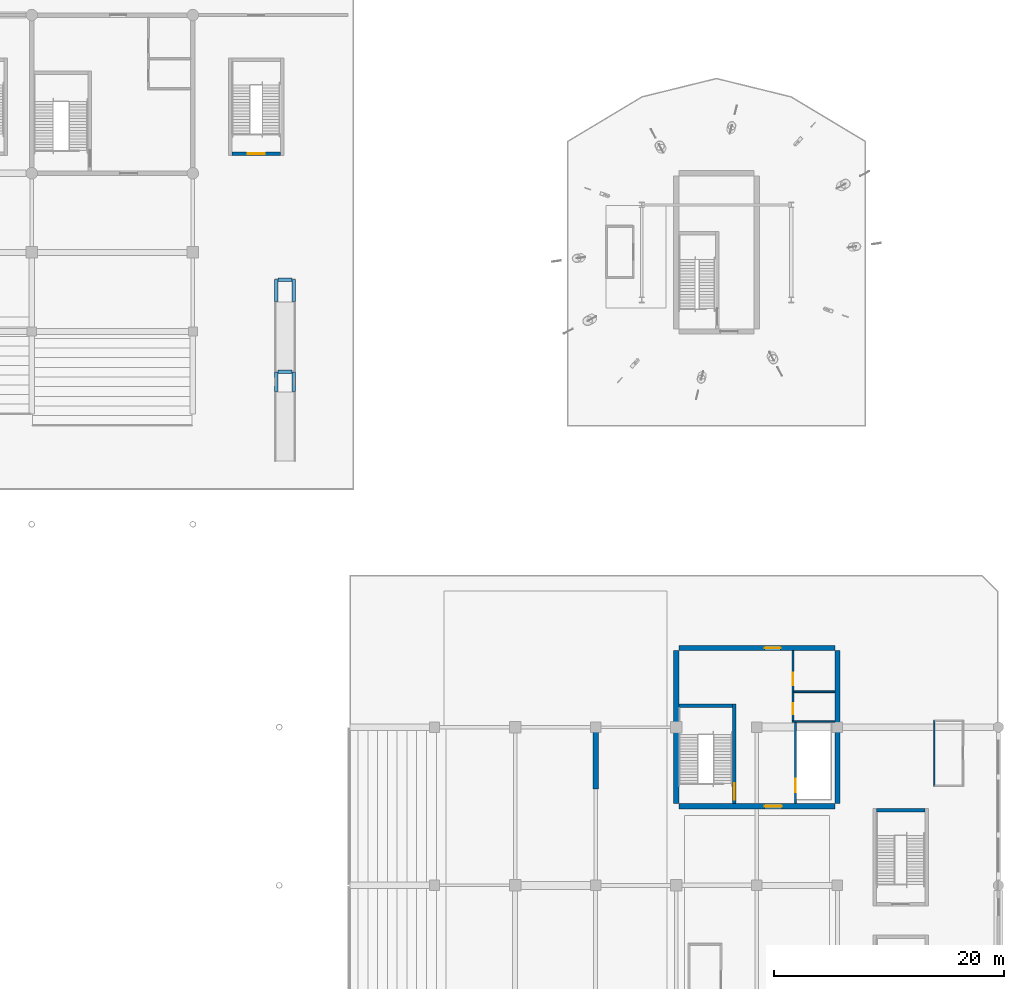
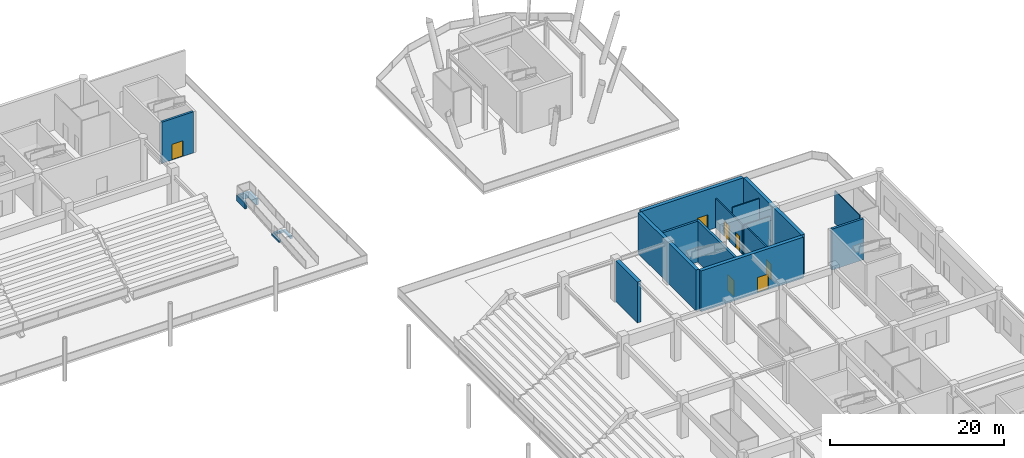
# One storey, part 50 of 73: 20 walls, 7 doors, 7 openings.
"""IFC4 building model written with IfcOpenShell, lengths in metres."""

from ifc_helpers import new_model, si_unit, direction, frame, frame_2d, origin, place, context, subcontext, project, spatial, rectangle, extrude, material, layer, layer_set, type_object, element, fill, save


model = new_model("IFC4")

# Units and contexts
model_context = context("Model", 3, precision=1e-05, world=origin(), true_north=direction((0.0, 1.0)))
body_context = subcontext(model_context, "Body", "Model", "MODEL_VIEW")
ifc_project = project(units=[si_unit("LENGTHUNIT", "METRE"), si_unit("AREAUNIT", "SQUARE_METRE"), si_unit("VOLUMEUNIT", "CUBIC_METRE"), si_unit("PLANEANGLEUNIT", "RADIAN"), si_unit("MASSUNIT", "GRAM", prefix="KILO")], contexts=[model_context])

# Site, building, storey
site_placement = place(None, origin())
site = spatial("IfcSite", under=ifc_project, at=site_placement, CompositionType="ELEMENT")
building_placement = place(site_placement, origin())
building = spatial("IfcBuilding", under=site, at=building_placement, Name="Linyun Crest Stadium", CompositionType="ELEMENT")
storey_placement = place(building_placement, origin())
storey = spatial("IfcBuildingStorey", under=building, at=storey_placement, Name="L01", CompositionType="ELEMENT", Elevation=0.0)

# Walls
ifc_material_1 = material(Name="Concrete C50", Category="concrete")
ifc_layer_1 = layer(ifc_material_1, 0.449951171875)
ifc_layer_set_1 = layer_set([ifc_layer_1], Name="Concrete C50")
wall_type_1 = type_object("IfcWallType", Name="CW03", PredefinedType="SHEAR", material=ifc_layer_set_1)
for number, where, z_axis, x_axis, name in (
    (1, (70.0, 36.72509765625, 0.0), (0.0, 0.0, 1.0), (0.0, 1.0, 0.0), "Core shear wall CW03 CORE-E3 L01.1"),
    (2, (84.0, 36.72509765625, 0.0), (0.0, 0.0, 1.0), (0.0, 1.0, 0.0), "Core shear wall CW03 CORE-E3 L01.2"),
):
    element("IfcWall", number, at=place(storey_placement, frame(where, z_axis=z_axis, x_axis=x_axis)), inside=storey, type_object=wall_type_1, Name=name, PredefinedType="SHEAR", context=body_context, shape_type="SweptSolid", body=[
        extrude(rectangle(XDim=13.2998046875, YDim=0.449951171875, at=frame_2d((6.64990234375, 0.0))), origin(), (0.0, 0.0, 1.0), 5.75),
    ])

# Wall, opening, door
wall_1_placement = place(storey_placement, frame((70.22509765625, 36.5, 0.0), z_axis=(0.0, 0.0, 1.0), x_axis=(1.0, 0.0, 0.0)))
wall_1 = element("IfcWall", 3, at=wall_1_placement, inside=storey, type_object=wall_type_1, Name="Core shear wall CW03 CORE-E3 L01.3", PredefinedType="SHEAR", context=body_context, shape_type="SweptSolid", body=[
    extrude(rectangle(XDim=13.5498046875, YDim=0.449951171875, at=frame_2d((6.77490234375, 0.0))), origin(), (0.0, 0.0, 1.0), 5.75),
])
opening_1_placement = place(wall_1_placement, frame((7.452880859375, 0.0, 0.0)))
opening_1 = element("IfcOpeningElement", 4, at=opening_1_placement, cuts=wall_1, Name="Opening D-L01-231", PredefinedType="OPENING", context=body_context, shape_type="SweptSolid", body=[
    extrude(rectangle(XDim=1.5, YDim=2.199951171875, at=frame_2d((0.75, 1.10009765625))), frame((0.0, 0.23486328125, 0.0), z_axis=(0.0, -1.0, 0.0), x_axis=(1.0, 0.0, 0.0)), (0.0, 0.0, 1.0), 0.469970703125),
])
ifc_material_2 = material(Name="Galvanized steel Class A fire door", Category="steel")
ifc_layer_2 = layer(ifc_material_2, 0.054931640625)
ifc_layer_set_2 = layer_set([ifc_layer_2], Name="Galvanized steel Class A fire door")
door_type_1 = type_object("IfcDoorType", Name="FD01", OperationType="NOTDEFINED", PredefinedType="DOOR", material=ifc_layer_set_2)
door_1_placement = place(opening_1_placement, origin())
door_1 = element("IfcDoor", 5, at=door_1_placement, inside=storey, type_object=door_type_1, Name="Door D-L01-231", OperationType="SINGLE_SWING_LEFT", OverallHeight=2.199951171875, OverallWidth=1.5, PredefinedType="DOOR", context=body_context, shape_type="SweptSolid", body=[
    extrude(rectangle(XDim=1.5, YDim=2.199951171875, at=frame_2d((0.75, 1.10009765625))), frame((0.0, 0.02490234375, 0.0), z_axis=(0.0, -1.0, 0.0), x_axis=(1.0, 0.0, 0.0)), (0.0, 0.0, 1.0), 0.050048828125),
])
fill(opening_1, door_1)

wall_2_placement = place(storey_placement, frame((70.22509765625, 50.25, 0.0), z_axis=(0.0, 0.0, 1.0), x_axis=(1.0, 0.0, 0.0)))
wall_2 = element("IfcWall", 6, at=wall_2_placement, inside=storey, type_object=wall_type_1, Name="Core shear wall CW03 CORE-E3 L01.4", PredefinedType="SHEAR", context=body_context, shape_type="SweptSolid", body=[
    extrude(rectangle(XDim=13.5498046875, YDim=0.449951171875, at=frame_2d((6.77490234375, 0.0))), origin(), (0.0, 0.0, 1.0), 5.75),
])
opening_2_placement = place(wall_2_placement, frame((7.449951171875, 0.0, 0.0)))
opening_2 = element("IfcOpeningElement", 7, at=opening_2_placement, cuts=wall_2, Name="Opening E-ST06", PredefinedType="OPENING", context=body_context, shape_type="SweptSolid", body=[
    extrude(rectangle(XDim=1.39990234375, YDim=2.199951171875, at=frame_2d((0.699951171875, 1.10009765625))), frame((0.0, 0.23486328125, 0.0), z_axis=(0.0, -1.0, 0.0), x_axis=(1.0, 0.0, 0.0)), (0.0, 0.0, 1.0), 0.469970703125),
])
ifc_material_3 = material(Name="Galvanized steel Class A fire door", Category="steel")
ifc_layer_3 = layer(ifc_material_3, 0.054931640625)
ifc_layer_set_3 = layer_set([ifc_layer_3], Name="Galvanized steel Class A fire door")
door_type_2 = type_object("IfcDoorType", Name="FD10", OperationType="NOTDEFINED", PredefinedType="DOOR", material=ifc_layer_set_3)
door_2_placement = place(opening_2_placement, origin())
door_2 = element("IfcDoor", 8, at=door_2_placement, inside=storey, type_object=door_type_2, Name="Stair STR-06 discharge exit E-ST06", OperationType="SINGLE_SWING_LEFT", OverallHeight=2.199951171875, OverallWidth=1.39990234375, PredefinedType="DOOR", context=body_context, shape_type="SweptSolid", body=[
    extrude(rectangle(XDim=1.39990234375, YDim=2.199951171875, at=frame_2d((0.699951171875, 1.10009765625))), frame((0.0, 0.02490234375, 0.0), z_axis=(0.0, -1.0, 0.0), x_axis=(1.0, 0.0, 0.0)), (0.0, 0.0, 1.0), 0.050048828125),
])
fill(opening_2, door_2)

ifc_material_4 = material(Name="Autoclaved aerated concrete block fire partition", Category="concrete")
ifc_layer_4 = layer(ifc_material_4, 0.179931640625)
ifc_layer_set_4 = layer_set([ifc_layer_4], Name="Autoclaved aerated concrete block fire partition")
wall_type_2 = type_object("IfcWallType", Name="PW12", PredefinedType="PARTITIONING", material=ifc_layer_set_4)
wall_3_placement = place(storey_placement, frame((80.35009765625, 36.72509765625, 0.0), z_axis=(0.0, 0.0, 1.0), x_axis=(0.0, 1.0, 0.0)))
wall_3 = element("IfcWall", 9, at=wall_3_placement, inside=storey, type_object=wall_type_2, Name="Partition PW12 L01 83", PredefinedType="PARTITIONING", context=body_context, shape_type="SweptSolid", body=[
    extrude(rectangle(XDim=7.054931640625, YDim=0.179931640625, at=frame_2d((3.52734375, 0.0))), origin(), (0.0, 0.0, 1.0), 4.125),
])
opening_3_placement = place(wall_3_placement, frame((0.97509765625, 0.0, 0.0)))
opening_3 = element("IfcOpeningElement", 10, at=opening_3_placement, cuts=wall_3, Name="Opening LD080", PredefinedType="OPENING", context=body_context, shape_type="SweptSolid", body=[
    extrude(rectangle(XDim=1.199951171875, YDim=2.25, at=frame_2d((0.60009765625, 1.125))), frame((0.0, 0.099853515625, 0.0), z_axis=(0.0, -1.0, 0.0), x_axis=(1.0, 0.0, 0.0)), (0.0, 0.0, 1.0), 0.199951171875),
])
ifc_material_5 = material(Name="Brushed stainless sliding lift door")
ifc_layer_5 = layer(ifc_material_5, 0.050048828125)
ifc_layer_set_5 = layer_set([ifc_layer_5], Name="Brushed stainless sliding lift door")
door_type_3 = type_object("IfcDoorType", Name="LD02", OperationType="NOTDEFINED", PredefinedType="DOOR", material=ifc_layer_set_5)
door_3_placement = place(opening_3_placement, origin())
door_3 = element("IfcDoor", 11, at=door_3_placement, inside=storey, type_object=door_type_3, Name="Lift landing door LD080", OperationType="DOUBLE_DOOR_SLIDING", OverallHeight=2.25, OverallWidth=1.199951171875, PredefinedType="DOOR", context=body_context, shape_type="SweptSolid", body=[
    extrude(rectangle(XDim=1.199951171875, YDim=2.25, at=frame_2d((0.60009765625, 1.125))), frame((0.0, 0.02490234375, 0.0), z_axis=(0.0, -1.0, 0.0), x_axis=(1.0, 0.0, 0.0)), (0.0, 0.0, 1.0), 0.050048828125),
])
fill(opening_3, door_3)

# Wall, openings, doors
ifc_material_6 = material(Name="Moisture-resistant ceramic-tiled wet-room wall")
ifc_layer_6 = layer(ifc_material_6, 0.139892578125)
ifc_layer_set_6 = layer_set([ifc_layer_6], Name="Moisture-resistant ceramic-tiled wet-room wall")
wall_type_3 = type_object("IfcWallType", Name="PW15", PredefinedType="PARTITIONING", material=ifc_layer_set_6)
wall_4_placement = place(storey_placement, frame((80.14990234375, 43.919921875, 0.0), z_axis=(0.0, 0.0, 1.0), x_axis=(0.0, 1.0, 0.0)))
wall_4 = element("IfcWall", 12, at=wall_4_placement, inside=storey, type_object=wall_type_3, Name="Partition PW15 L01 84", PredefinedType="PARTITIONING", context=body_context, shape_type="SweptSolid", body=[
    extrude(rectangle(XDim=6.10498046875, YDim=0.139892578125, at=frame_2d((3.052490234375, 0.0))), origin(), (0.0, 0.0, 1.0), 4.125),
])
opening_4_placement = place(wall_4_placement, frame((0.580078125, 0.0, 0.0)))
opening_4 = element("IfcOpeningElement", 13, at=opening_4_placement, cuts=wall_4, Name="Opening D-L01-234", PredefinedType="OPENING", context=body_context, shape_type="SweptSolid", body=[
    extrude(rectangle(XDim=0.949951171875, YDim=2.14990234375, at=frame_2d((0.47509765625, 1.074951171875))), frame((0.0, 0.079833984375, 0.0), z_axis=(0.0, -1.0, 0.0), x_axis=(1.0, 0.0, 0.0)), (0.0, 0.0, 1.0), 0.159912109375),
])
opening_5_placement = place(wall_4_placement, frame((3.080078125, 0.0, 0.0)))
opening_5 = element("IfcOpeningElement", 14, at=opening_5_placement, cuts=wall_4, Name="Opening D-L01-235", PredefinedType="OPENING", context=body_context, shape_type="SweptSolid", body=[
    extrude(rectangle(XDim=1.10009765625, YDim=2.14990234375, at=frame_2d((0.550048828125, 1.074951171875))), frame((0.0, 0.079833984375, 0.0), z_axis=(0.0, -1.0, 0.0), x_axis=(1.0, 0.0, 0.0)), (0.0, 0.0, 1.0), 0.159912109375),
])
ifc_material_7 = material(Name="Moisture-resistant laminate leaf")
ifc_layer_7 = layer(ifc_material_7, 0.044921875)
ifc_layer_set_7 = layer_set([ifc_layer_7], Name="Moisture-resistant laminate leaf")
door_type_4 = type_object("IfcDoorType", Name="ID02", OperationType="NOTDEFINED", PredefinedType="DOOR", material=ifc_layer_set_7)
door_4_placement = place(opening_4_placement, origin())
door_4 = element("IfcDoor", 15, at=door_4_placement, inside=storey, type_object=door_type_4, Name="Door D-L01-234", OperationType="SINGLE_SWING_RIGHT", OverallHeight=2.14990234375, OverallWidth=0.949951171875, PredefinedType="DOOR", context=body_context, shape_type="SweptSolid", body=[
    extrude(rectangle(XDim=0.949951171875, YDim=2.14990234375, at=frame_2d((0.47509765625, 1.074951171875))), frame((0.0, 0.02490234375, 0.0), z_axis=(0.0, -1.0, 0.0), x_axis=(1.0, 0.0, 0.0)), (0.0, 0.0, 1.0), 0.050048828125),
])
fill(opening_4, door_4)
ifc_material_8 = material(Name="Moisture-resistant laminate leaf")
ifc_layer_8 = layer(ifc_material_8, 0.044921875)
ifc_layer_set_8 = layer_set([ifc_layer_8], Name="Moisture-resistant laminate leaf")
door_type_5 = type_object("IfcDoorType", Name="ID03", OperationType="NOTDEFINED", PredefinedType="DOOR", material=ifc_layer_set_8)
door_5_placement = place(opening_5_placement, origin())
door_5 = element("IfcDoor", 16, at=door_5_placement, inside=storey, type_object=door_type_5, Name="Door D-L01-235", OperationType="SINGLE_SWING_LEFT", OverallHeight=2.14990234375, OverallWidth=1.10009765625, PredefinedType="DOOR", context=body_context, shape_type="SweptSolid", body=[
    extrude(rectangle(XDim=1.10009765625, YDim=2.14990234375, at=frame_2d((0.550048828125, 1.074951171875))), frame((0.0, 0.02490234375, 0.0), z_axis=(0.0, -1.0, 0.0), x_axis=(1.0, 0.0, 0.0)), (0.0, 0.0, 1.0), 0.050048828125),
])
fill(opening_5, door_5)

# Walls
wall_5_placement = place(storey_placement, frame((80.080078125, 43.85009765625, 0.0), z_axis=(0.0, 0.0, 1.0), x_axis=(1.0, 0.0, 0.0)))
element("IfcWall", 17, at=wall_5_placement, inside=storey, type_object=wall_type_3, Name="Enclosure partition PW15 L01 69", PredefinedType="PARTITIONING", context=body_context, shape_type="SweptSolid", body=[
    extrude(rectangle(XDim=3.69482421875, YDim=0.139892578125, at=frame_2d((1.847412109375, 0.0))), origin(), (0.0, 0.0, 1.0), 4.125),
])
wall_6_placement = place(storey_placement, frame((80.219970703125, 46.449951171875, 0.0), z_axis=(0.0, 0.0, 1.0), x_axis=(1.0, 0.0, 0.0)))
element("IfcWall", 18, at=wall_6_placement, inside=storey, type_object=wall_type_3, Name="Enclosure partition PW15 L01 70", PredefinedType="PARTITIONING", context=body_context, shape_type="SweptSolid", body=[
    extrude(rectangle(XDim=3.554931640625, YDim=0.139892578125, at=frame_2d((1.77734375, 0.0))), origin(), (0.0, 0.0, 1.0), 5.02001953125),
])
ifc_material_9 = material(Name="Lightweight demountable office partition")
ifc_layer_9 = layer(ifc_material_9, 0.110107421875)
ifc_layer_set_9 = layer_set([ifc_layer_9], Name="Lightweight demountable office partition")
wall_type_4 = type_object("IfcWallType", Name="PW18", PredefinedType="PARTITIONING", material=ifc_layer_set_9)
wall_7_placement = place(storey_placement, frame((92.4169921875, 38.23388671875, 0.0), z_axis=(0.0, 0.0, 1.0), x_axis=(0.0, 1.0, 0.0)))
element("IfcWall", 19, at=wall_7_placement, inside=storey, type_object=wall_type_4, Name="Enclosure partition PW18 L01 217", PredefinedType="PARTITIONING", context=body_context, shape_type="SweptSolid", body=[
    extrude(rectangle(XDim=5.760009765625, YDim=0.110107421875, at=frame_2d((2.8798828125, 0.0))), origin(), (0.0, 0.0, 1.0), 4.625),
])

# Wall, opening, door
ifc_material_10 = material(Name="Concrete C50", Category="concrete")
ifc_layer_10 = layer(ifc_material_10, 0.300048828125)
ifc_layer_set_10 = layer_set([ifc_layer_10], Name="Concrete C50")
wall_type_5 = type_object("IfcWallType", Name="SW01", PredefinedType="SHEAR", material=ifc_layer_set_10)
wall_8_placement = place(storey_placement, frame((75.050048828125, 36.72509765625, 0.0), z_axis=(0.0, 0.0, 1.0), x_axis=(0.0, 1.0, 0.0)))
wall_8 = element("IfcWall", 20, at=wall_8_placement, inside=storey, type_object=wall_type_5, Name="Core stair east bearing wall SW01 6 L01", PredefinedType="SHEAR", context=body_context, shape_type="SweptSolid", body=[
    extrude(rectangle(XDim=8.6748046875, YDim=0.300048828125, at=frame_2d((4.33740234375, 0.0))), origin(), (0.0, 0.0, 1.0), 5.75),
])
opening_6_placement = place(wall_8_placement, frame((0.344970703125, 0.0, 0.0)))
opening_6 = element("IfcOpeningElement", 21, at=opening_6_placement, cuts=wall_8, Name="Opening D-L01-232", PredefinedType="OPENING", context=body_context, shape_type="SweptSolid", body=[
    extrude(rectangle(XDim=1.449951171875, YDim=2.199951171875, at=frame_2d((0.72509765625, 1.10009765625))), frame((0.0, 0.159912109375, 0.0), z_axis=(0.0, -1.0, 0.0), x_axis=(1.0, 0.0, 0.0)), (0.0, 0.0, 1.0), 0.320068359375),
])
ifc_material_11 = material(Name="Galvanized steel Class A fire door", Category="steel")
ifc_layer_11 = layer(ifc_material_11, 0.054931640625)
ifc_layer_set_11 = layer_set([ifc_layer_11], Name="Galvanized steel Class A fire door")
door_type_6 = type_object("IfcDoorType", Name="FD02", OperationType="NOTDEFINED", PredefinedType="DOOR", material=ifc_layer_set_11)
door_6_placement = place(opening_6_placement, origin())
door_6 = element("IfcDoor", 22, at=door_6_placement, inside=storey, type_object=door_type_6, Name="Door D-L01-232", OperationType="SINGLE_SWING_RIGHT", OverallHeight=2.199951171875, OverallWidth=1.449951171875, PredefinedType="DOOR", context=body_context, shape_type="SweptSolid", body=[
    extrude(rectangle(XDim=1.449951171875, YDim=2.199951171875, at=frame_2d((0.72509765625, 1.10009765625))), frame((0.0, 0.02490234375, 0.0), z_axis=(0.0, -1.0, 0.0), x_axis=(1.0, 0.0, 0.0)), (0.0, 0.0, 1.0), 0.050048828125),
])
fill(opening_6, door_6)

# Walls
wall_9_placement = place(storey_placement, frame((70.22509765625, 45.25, 0.0), z_axis=(0.0, 0.0, 1.0), x_axis=(1.0, 0.0, 0.0)))
element("IfcWall", 23, at=wall_9_placement, inside=storey, type_object=wall_type_5, Name="Core stair bearing wall SW01 6 L01", PredefinedType="SHEAR", context=body_context, shape_type="SweptSolid", body=[
    extrude(rectangle(XDim=4.6748046875, YDim=0.300048828125, at=frame_2d((2.33740234375, 0.0))), origin(), (0.0, 0.0, 1.0), 5.75),
])
wall_10_placement = place(storey_placement, frame((87.39990234375, 36.14990234375, 0.0), z_axis=(0.0, 0.0, 1.0), x_axis=(1.0, 0.0, 0.0)))
element("IfcWall", 24, at=wall_10_placement, inside=storey, type_object=wall_type_5, Name="Stair shaft wall SW01 STR-22 L01 N", PredefinedType="SHEAR", context=body_context, shape_type="SweptSolid", body=[
    extrude(rectangle(XDim=4.2001953125, YDim=0.300048828125, at=frame_2d((2.10009765625, 0.0))), origin(), (0.0, 0.0, 1.0), 5.75),
])

# Wall, opening, door
wall_11_placement = place(storey_placement, frame((31.39990234375, 93.199951171875, 0.0), z_axis=(0.0, 0.0, 1.0), x_axis=(1.0, 0.0, 0.0)))
wall_11 = element("IfcWall", 25, at=wall_11_placement, inside=storey, type_object=wall_type_5, Name="Stair shaft wall SW01 STR-26 L01 S", PredefinedType="SHEAR", context=body_context, shape_type="SweptSolid", body=[
    extrude(rectangle(XDim=4.2001953125, YDim=0.300048828125, at=frame_2d((2.10009765625, 0.0))), origin(), (0.0, 0.0, 1.0), 5.780029296875),
])
opening_7_placement = place(wall_11_placement, frame((1.375, 0.0, 0.0)))
opening_7 = element("IfcOpeningElement", 26, at=opening_7_placement, cuts=wall_11, Name="Opening D-L01-611", PredefinedType="OPENING", context=body_context, shape_type="SweptSolid", body=[
    extrude(rectangle(XDim=1.449951171875, YDim=2.199951171875, at=frame_2d((0.72509765625, 1.10009765625))), frame((0.0, 0.159912109375, 0.0), z_axis=(0.0, -1.0, 0.0), x_axis=(1.0, 0.0, 0.0)), (0.0, 0.0, 1.0), 0.320068359375),
])
door_7_placement = place(opening_7_placement, origin())
door_7 = element("IfcDoor", 27, at=door_7_placement, inside=storey, type_object=door_type_6, Name="Door D-L01-611", OperationType="SINGLE_SWING_LEFT", OverallHeight=2.199951171875, OverallWidth=1.449951171875, PredefinedType="DOOR", context=body_context, shape_type="SweptSolid", body=[
    extrude(rectangle(XDim=1.449951171875, YDim=2.199951171875, at=frame_2d((0.72509765625, 1.10009765625))), frame((0.0, 0.02490234375, 0.0), z_axis=(0.0, -1.0, 0.0), x_axis=(1.0, 0.0, 0.0)), (0.0, 0.0, 1.0), 0.050048828125),
])
fill(opening_7, door_7)

# Walls
for number, where, z_axis, x_axis, name in (
    (28, (35.25, 72.550048828125, 0.0), (0.0, 0.0, 1.0), (0.0, 1.0, 0.0), "Ramp plinth wall SW01 RMP-08.1W"),
    (29, (36.75, 72.550048828125, 0.0), (0.0, 0.0, 1.0), (0.0, 1.0, 0.0), "Ramp plinth wall SW01 RMP-08.1E"),
):
    element("IfcWall", number, at=place(storey_placement, frame(where, z_axis=z_axis, x_axis=x_axis)), inside=storey, type_object=wall_type_5, Name=name, PredefinedType="SHEAR", context=body_context, shape_type="SweptSolid", body=[
        extrude(rectangle(XDim=1.699951171875, YDim=0.300048828125, at=frame_2d((0.85009765625, 0.0))), origin(), (0.0, 0.0, 1.0), 0.300048828125),
    ])
wall_12_placement = place(storey_placement, frame((35.39990234375, 74.25, 0.0), z_axis=(0.0, 0.0, 1.0), x_axis=(1.0, 0.0, 0.0)))
element("IfcWall", 30, at=wall_12_placement, inside=storey, type_object=wall_type_5, Name="Ramp plinth wall SW01 RMP-08.1N", PredefinedType="SHEAR", context=body_context, shape_type="SweptSolid", body=[
    extrude(rectangle(XDim=1.2001953125, YDim=0.300048828125, at=frame_2d((0.60009765625, 0.0))), origin(), (0.0, 0.0, 1.0), 0.300048828125),
])
for number, where, z_axis, x_axis, name in (
    (31, (35.25, 80.35009765625, 0.0), (0.0, 0.0, 1.0), (0.0, 1.0, 0.0), "Ramp plinth wall SW01 RMP-08.2W"),
    (32, (36.75, 80.35009765625, 0.0), (0.0, 0.0, 1.0), (0.0, 1.0, 0.0), "Ramp plinth wall SW01 RMP-08.2E"),
):
    element("IfcWall", number, at=place(storey_placement, frame(where, z_axis=z_axis, x_axis=x_axis)), inside=storey, type_object=wall_type_5, Name=name, PredefinedType="SHEAR", context=body_context, shape_type="SweptSolid", body=[
        extrude(rectangle(XDim=1.89990234375, YDim=0.300048828125, at=frame_2d((0.949951171875, 0.0))), origin(), (0.0, 0.0, 1.0), 0.800048828125),
    ])
wall_13_placement = place(storey_placement, frame((35.39990234375, 82.25, 0.0), z_axis=(0.0, 0.0, 1.0), x_axis=(1.0, 0.0, 0.0)))
element("IfcWall", 33, at=wall_13_placement, inside=storey, type_object=wall_type_5, Name="Ramp plinth wall SW01 RMP-08.2N", PredefinedType="SHEAR", context=body_context, shape_type="SweptSolid", body=[
    extrude(rectangle(XDim=1.2001953125, YDim=0.300048828125, at=frame_2d((0.60009765625, 0.0))), origin(), (0.0, 0.0, 1.0), 0.800048828125),
])
ifc_material_12 = material(Name="Concrete C50", Category="concrete")
ifc_layer_12 = layer(ifc_material_12, 0.5)
ifc_layer_set_12 = layer_set([ifc_layer_12], Name="Concrete C50")
wall_type_6 = type_object("IfcWallType", Name="SW03", PredefinedType="SHEAR", material=ifc_layer_set_12)
wall_14_placement = place(storey_placement, frame((63.0, 38.0, 0.0), z_axis=(0.0, 0.0, 1.0), x_axis=(0.0, 1.0, 0.0)))
element("IfcWall", 34, at=wall_14_placement, inside=storey, type_object=wall_type_6, Name="Shear wall SW03 L01 314", PredefinedType="SHEAR", context=body_context, shape_type="SweptSolid", body=[
    extrude(rectangle(XDim=5.0, YDim=0.5, at=frame_2d((2.5, 0.0))), origin(), (0.0, 0.0, 1.0), 5.75),
])

save(model, "model.ifc")
